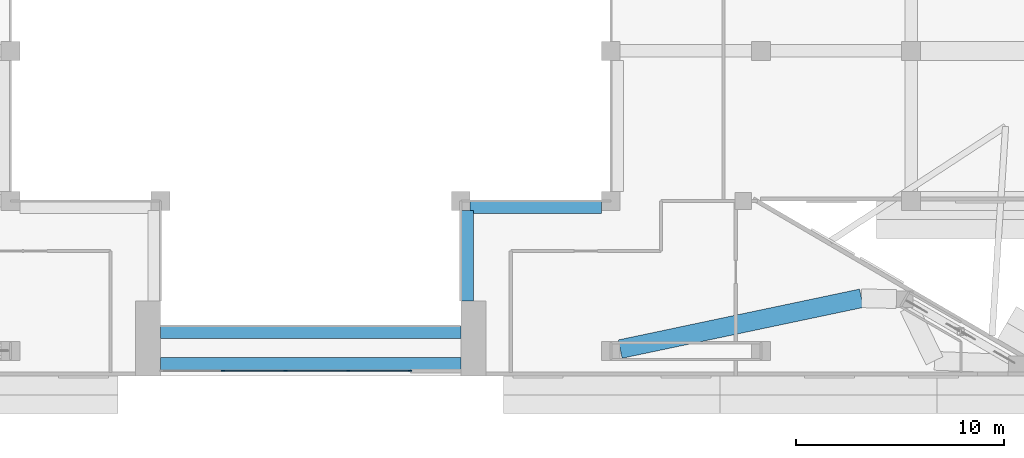
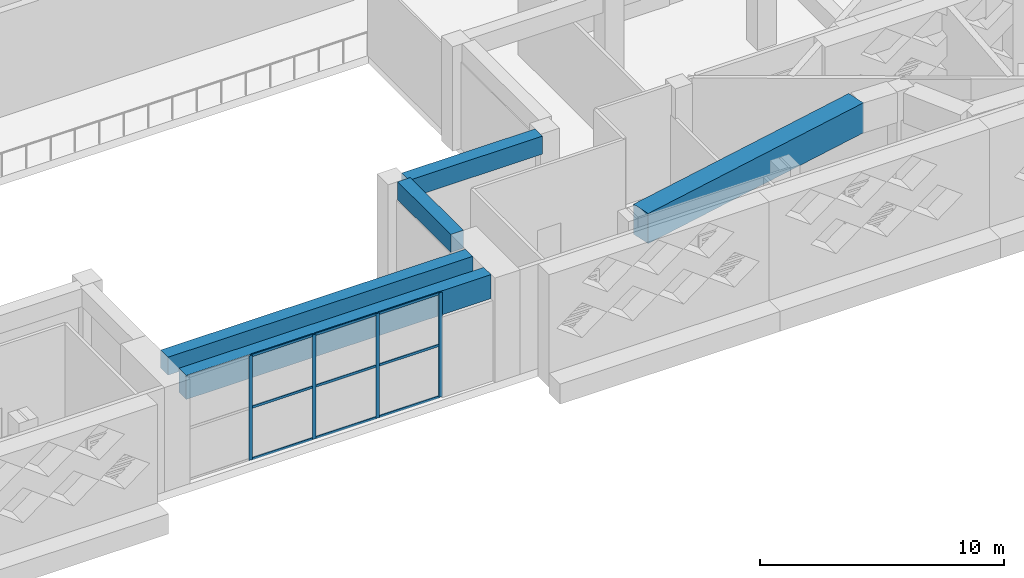
# One storey, part 4 of 20: 13 members, 5 beams, 1 element without a shape of its own.
"""IFC4 building model written with IfcOpenShell, lengths in metres."""

from ifc_helpers import new_model, si_unit, direction, frame, origin, origin_2d, place, context, subcontext, project, spatial, rectangle, extrude, source, transform, mapped, material, layer, layer_set, material_profile, profile_set, type_object, element, aggregate, save


model = new_model("IFC4")

# Units and contexts
model_context = context("Model", 3, precision=1e-05, world=origin(), true_north=direction((0.0, 1.0)))
body_context = subcontext(model_context, "Body", "Model", "MODEL_VIEW")
ifc_project = project(units=[si_unit("LENGTHUNIT", "METRE"), si_unit("AREAUNIT", "SQUARE_METRE"), si_unit("VOLUMEUNIT", "CUBIC_METRE"), si_unit("PLANEANGLEUNIT", "RADIAN"), si_unit("MASSUNIT", "GRAM", prefix="KILO")], contexts=[model_context])

# Site, building, storey
site_placement = place(None, origin())
site = spatial("IfcSite", under=ifc_project, at=site_placement, CompositionType="ELEMENT")
building_placement = place(site_placement, origin())
building = spatial("IfcBuilding", under=site, at=building_placement, Name="Saffron Iwan Residences", CompositionType="ELEMENT")
storey_placement = place(building_placement, frame((0.0, 0.0, 206.0)))
storey = spatial("IfcBuildingStorey", under=building, at=storey_placement, Name="L55", CompositionType="ELEMENT", Elevation=206.0)

# Beams
ifc_material_1 = material(Name="Concrete C50/60", Category="concrete")
ifc_material_profile_1 = material_profile(ifc_material_1, rectangle(XDim=0.60009765625, YDim=1.199951171875, at=origin_2d()), Name="RC 600x1200")
ifc_profile_set_1 = profile_set([ifc_material_profile_1], Name="Concrete C50/60")
beam_type_1 = type_object("IfcBeamType", Name="LINTEL BEAM RC 600x1200 C50/60 TOP 5220", PredefinedType="LINTEL", material=ifc_profile_set_1)
shared_shape_1 = source(origin(), body_context, "Body", "SweptSolid", [
    extrude(rectangle(XDim=0.60009765625, YDim=1.199951171875, at=origin_2d()), origin(), (0.0, 0.0, 1.0), 14.400146484375),
])
beam_1_placement = place(storey_placement, frame((57.60009765625, 40.199951171875, 4.6201171875), z_axis=(-1.0, 0.0, 0.0), x_axis=(0.0, -1.0, 0.0)))
element("IfcBeam", 1, at=beam_1_placement, inside=storey, type_object=beam_type_1, Name="Lintel beam over the iwan", PredefinedType="LINTEL", context=body_context, shape_type="MappedRepresentation", body=[
    mapped(shared_shape_1, transform((0.0, 0.0, 0.0))),
])
ifc_material_profile_2 = material_profile(ifc_material_1, rectangle(XDim=0.60009765625, YDim=0.89990234375, at=origin_2d()), Name="RC 600x900")
ifc_profile_set_2 = profile_set([ifc_material_profile_2], Name="Concrete C50/60")
beam_type_2 = type_object("IfcBeamType", Name="BEAM RC 600x900 C50/60 TOP 5220", PredefinedType="BEAM", material=ifc_profile_set_2)
shared_shape_2 = source(origin(), body_context, "Body", "SweptSolid", [
    extrude(rectangle(XDim=0.60009765625, YDim=0.89990234375, at=origin_2d()), origin(), (0.0, 0.0, 1.0), 14.400146484375),
])
beam_2_placement = place(storey_placement, frame((57.60009765625, 41.699951171875, 4.77001953125), z_axis=(-1.0, 0.0, 0.0), x_axis=(0.0, -1.0, 0.0)))
element("IfcBeam", 2, at=beam_2_placement, inside=storey, type_object=beam_type_2, Name="Atrium edge beam", PredefinedType="BEAM", context=body_context, shape_type="MappedRepresentation", body=[
    mapped(shared_shape_2, transform((0.0, 0.0, 0.0))),
])
shared_shape_3 = source(origin(), body_context, "Body", "SweptSolid", [
    extrude(rectangle(XDim=0.60009765625, YDim=0.89990234375, at=origin_2d()), origin(), (0.0, 0.0, 1.0), 4.35009765625),
])
beam_3_placement = place(storey_placement, frame((57.89990234375, 47.550048828125, 4.77001953125), z_axis=(0.0, -1.0, 0.0), x_axis=(1.0, 0.0, 0.0)))
element("IfcBeam", 3, at=beam_3_placement, inside=storey, type_object=beam_type_2, Name="Atrium edge beam", PredefinedType="BEAM", context=body_context, shape_type="MappedRepresentation", body=[
    mapped(shared_shape_3, transform((0.0, 0.0, 0.0))),
])
shared_shape_4 = source(origin(), body_context, "Body", "SweptSolid", [
    extrude(rectangle(XDim=0.60009765625, YDim=0.89990234375, at=origin_2d()), origin(), (0.0, 0.0, 1.0), 6.300048828125),
])
beam_4_placement = place(storey_placement, frame((64.35009765625, 47.699951171875, 4.77001953125), z_axis=(-1.0, 0.0, 0.0), x_axis=(0.0, -1.0, 0.0)))
element("IfcBeam", 4, at=beam_4_placement, inside=storey, type_object=beam_type_2, Name="Atrium edge beam", PredefinedType="BEAM", context=body_context, shape_type="MappedRepresentation", body=[
    mapped(shared_shape_4, transform((0.0, 0.0, 0.0))),
])
ifc_material_profile_3 = material_profile(ifc_material_1, rectangle(XDim=0.89990234375, YDim=1.5, at=origin_2d()), Name="RC 900x1500")
ifc_profile_set_3 = profile_set([ifc_material_profile_3], Name="Concrete C50/60")
beam_type_3 = type_object("IfcBeamType", Name="TRANSFER GIRDER RC 900x1500 C50/60 TOP 5220", PredefinedType="BEAM", material=ifc_profile_set_3)
shared_shape_5 = source(origin(), body_context, "Body", "SweptSolid", [
    extrude(rectangle(XDim=0.89990234375, YDim=1.5, at=origin_2d()), origin(), (0.0, 0.0, 1.0), 11.8271484375),
])
beam_5_placement = place(storey_placement, frame((65.25, 40.894775390625, 4.469970703125), z_axis=(0.97851472792, 0.206176931892, 0.0), x_axis=(-0.206176931892, 0.97851472792, 0.0)))
element("IfcBeam", 5, at=beam_5_placement, inside=storey, type_object=beam_type_3, Name="Transfer girder", PredefinedType="BEAM", context=body_context, shape_type="MappedRepresentation", body=[
    mapped(shared_shape_5, transform((0.0, 0.0, 0.0))),
])

# Curtain wall, members
ifc_material_2 = material(Name="Clear glass, laminated double glazed", Category="glass")
ifc_layer = layer(ifc_material_2, 0.199951171875)
ifc_layer_set = layer_set([ifc_layer], Name="Clear glass, laminated double glazed")
curtain_wall_type = type_object("IfcCurtainWallType", Name="CW-B IWAN PORTAL", PredefinedType="NOTDEFINED", material=ifc_layer_set)
curtain_wall_placement = place(storey_placement, origin())
curtain_wall = element("IfcCurtainWall", 6, at=curtain_wall_placement, inside=storey, type_object=curtain_wall_type, Name="Iwan portal glazing L55.1", PredefinedType="NOTDEFINED")
ifc_material_3 = material(Name="Aluminium 6063-T6", Category="aluminium")
ifc_material_profile_4 = material_profile(ifc_material_3, rectangle(XDim=0.06005859375, YDim=0.1201171875, at=origin_2d()), Name="CW-B TRANSOM 60 x 120")
ifc_profile_set_4 = profile_set([ifc_material_profile_4], Name="Aluminium 6063-T6")
member_type_1 = type_object("IfcMemberType", Name="CW-B TRANSOM 60 x 120", PredefinedType="USERDEFINED", material=ifc_profile_set_4)
shared_shape_6 = source(origin(), body_context, "Body", "SweptSolid", [
    extrude(rectangle(XDim=0.06005859375, YDim=0.1201171875, at=origin_2d()), origin(), (0.0, 0.0, 1.0), 2.909912109375),
])
member_1_placement = place(storey_placement, frame((52.22998046875, 39.85009765625, 0.030029296875), z_axis=(1.0, 0.0, 0.0), x_axis=(0.0, 1.0, 0.0)))
member_1 = element("IfcMember", 7, at=member_1_placement, type_object=member_type_1, Name="CW-B transom 4.1", ObjectType="TRANSOM", PredefinedType="USERDEFINED", context=body_context, shape_type="MappedRepresentation", body=[
    mapped(shared_shape_6, transform((0.0, 0.0, 0.0))),
])
member_2_placement = place(storey_placement, frame((52.22998046875, 39.85009765625, 2.610107421875), z_axis=(1.0, 0.0, 0.0), x_axis=(0.0, 1.0, 0.0)))
member_2 = element("IfcMember", 8, at=member_2_placement, type_object=member_type_1, Name="CW-B transom 4.2", ObjectType="TRANSOM", PredefinedType="USERDEFINED", context=body_context, shape_type="MappedRepresentation", body=[
    mapped(shared_shape_6, transform((0.0, 0.0, 0.0))),
])
member_3_placement = place(storey_placement, frame((52.22998046875, 39.85009765625, 5.18994140625), z_axis=(1.0, 0.0, 0.0), x_axis=(0.0, 1.0, 0.0)))
member_3 = element("IfcMember", 9, at=member_3_placement, type_object=member_type_1, Name="CW-B transom 4.3", ObjectType="TRANSOM", PredefinedType="USERDEFINED", context=body_context, shape_type="MappedRepresentation", body=[
    mapped(shared_shape_6, transform((0.0, 0.0, 0.0))),
])
shared_shape_7 = source(origin(), body_context, "Body", "SweptSolid", [
    extrude(rectangle(XDim=0.06005859375, YDim=0.1201171875, at=origin_2d()), origin(), (0.0, 0.0, 1.0), 2.93994140625),
])
member_4_placement = place(storey_placement, frame((46.22998046875, 39.85009765625, 0.030029296875), z_axis=(1.0, 0.0, 0.0), x_axis=(0.0, 1.0, 0.0)))
member_4 = element("IfcMember", 10, at=member_4_placement, type_object=member_type_1, Name="CW-B transom 2.1", ObjectType="TRANSOM", PredefinedType="USERDEFINED", context=body_context, shape_type="MappedRepresentation", body=[
    mapped(shared_shape_7, transform((0.0, 0.0, 0.0))),
])
member_5_placement = place(storey_placement, frame((46.22998046875, 39.85009765625, 2.610107421875), z_axis=(1.0, 0.0, 0.0), x_axis=(0.0, 1.0, 0.0)))
member_5 = element("IfcMember", 11, at=member_5_placement, type_object=member_type_1, Name="CW-B transom 2.2", ObjectType="TRANSOM", PredefinedType="USERDEFINED", context=body_context, shape_type="MappedRepresentation", body=[
    mapped(shared_shape_7, transform((0.0, 0.0, 0.0))),
])
member_6_placement = place(storey_placement, frame((46.22998046875, 39.85009765625, 5.18994140625), z_axis=(1.0, 0.0, 0.0), x_axis=(0.0, 1.0, 0.0)))
member_6 = element("IfcMember", 12, at=member_6_placement, type_object=member_type_1, Name="CW-B transom 2.3", ObjectType="TRANSOM", PredefinedType="USERDEFINED", context=body_context, shape_type="MappedRepresentation", body=[
    mapped(shared_shape_7, transform((0.0, 0.0, 0.0))),
])
member_7_placement = place(storey_placement, frame((49.22998046875, 39.85009765625, 0.030029296875), z_axis=(1.0, 0.0, 0.0), x_axis=(0.0, 1.0, 0.0)))
member_7 = element("IfcMember", 13, at=member_7_placement, type_object=member_type_1, Name="CW-B transom 3.1", ObjectType="TRANSOM", PredefinedType="USERDEFINED", context=body_context, shape_type="MappedRepresentation", body=[
    mapped(shared_shape_7, transform((0.0, 0.0, 0.0))),
])
member_8_placement = place(storey_placement, frame((49.22998046875, 39.85009765625, 2.610107421875), z_axis=(1.0, 0.0, 0.0), x_axis=(0.0, 1.0, 0.0)))
member_8 = element("IfcMember", 14, at=member_8_placement, type_object=member_type_1, Name="CW-B transom 3.2", ObjectType="TRANSOM", PredefinedType="USERDEFINED", context=body_context, shape_type="MappedRepresentation", body=[
    mapped(shared_shape_7, transform((0.0, 0.0, 0.0))),
])
member_9_placement = place(storey_placement, frame((49.22998046875, 39.85009765625, 5.18994140625), z_axis=(1.0, 0.0, 0.0), x_axis=(0.0, 1.0, 0.0)))
member_9 = element("IfcMember", 15, at=member_9_placement, type_object=member_type_1, Name="CW-B transom 3.3", ObjectType="TRANSOM", PredefinedType="USERDEFINED", context=body_context, shape_type="MappedRepresentation", body=[
    mapped(shared_shape_7, transform((0.0, 0.0, 0.0))),
])
ifc_material_profile_5 = material_profile(ifc_material_3, rectangle(XDim=0.06005859375, YDim=0.159912109375, at=origin_2d()), Name="CW-B MULLION 60 x 160")
ifc_profile_set_5 = profile_set([ifc_material_profile_5], Name="Aluminium 6063-T6")
member_type_2 = type_object("IfcMemberType", Name="CW-B MULLION 60 x 160", PredefinedType="MULLION", material=ifc_profile_set_5)
shared_shape_8 = source(origin(), body_context, "Body", "SweptSolid", [
    extrude(rectangle(XDim=0.06005859375, YDim=0.159912109375, at=origin_2d()), origin(), (0.0, 0.0, 1.0), 5.219970703125),
])
member_10_placement = place(storey_placement, frame((46.199951171875, 39.85009765625, 0.0), z_axis=(0.0, 0.0, 1.0), x_axis=(0.0, 1.0, 0.0)))
member_10 = element("IfcMember", 16, at=member_10_placement, type_object=member_type_2, Name="CW-B mullion 2", PredefinedType="MULLION", context=body_context, shape_type="MappedRepresentation", body=[
    mapped(shared_shape_8, transform((0.0, 0.0, 0.0))),
])
member_11_placement = place(storey_placement, frame((49.199951171875, 39.85009765625, 0.0), z_axis=(0.0, 0.0, 1.0), x_axis=(0.0, 1.0, 0.0)))
member_11 = element("IfcMember", 17, at=member_11_placement, type_object=member_type_2, Name="CW-B mullion 3", PredefinedType="MULLION", context=body_context, shape_type="MappedRepresentation", body=[
    mapped(shared_shape_8, transform((0.0, 0.0, 0.0))),
])
member_12_placement = place(storey_placement, frame((52.199951171875, 39.85009765625, 0.0), z_axis=(0.0, 0.0, 1.0), x_axis=(0.0, 1.0, 0.0)))
member_12 = element("IfcMember", 18, at=member_12_placement, type_object=member_type_2, Name="CW-B mullion 4", PredefinedType="MULLION", context=body_context, shape_type="MappedRepresentation", body=[
    mapped(shared_shape_8, transform((0.0, 0.0, 0.0))),
])
member_13_placement = place(storey_placement, frame((55.169921875, 39.85009765625, 0.0), z_axis=(0.0, 0.0, 1.0), x_axis=(0.0, 1.0, 0.0)))
member_13 = element("IfcMember", 19, at=member_13_placement, type_object=member_type_2, Name="CW-B mullion 5", PredefinedType="MULLION", context=body_context, shape_type="MappedRepresentation", body=[
    mapped(shared_shape_8, transform((0.0, 0.0, 0.0))),
])
aggregate(curtain_wall, [member_10, member_11, member_12, member_13, member_4, member_5, member_6, member_7, member_8, member_9, member_1, member_2, member_3])

save(model, "model.ifc")
